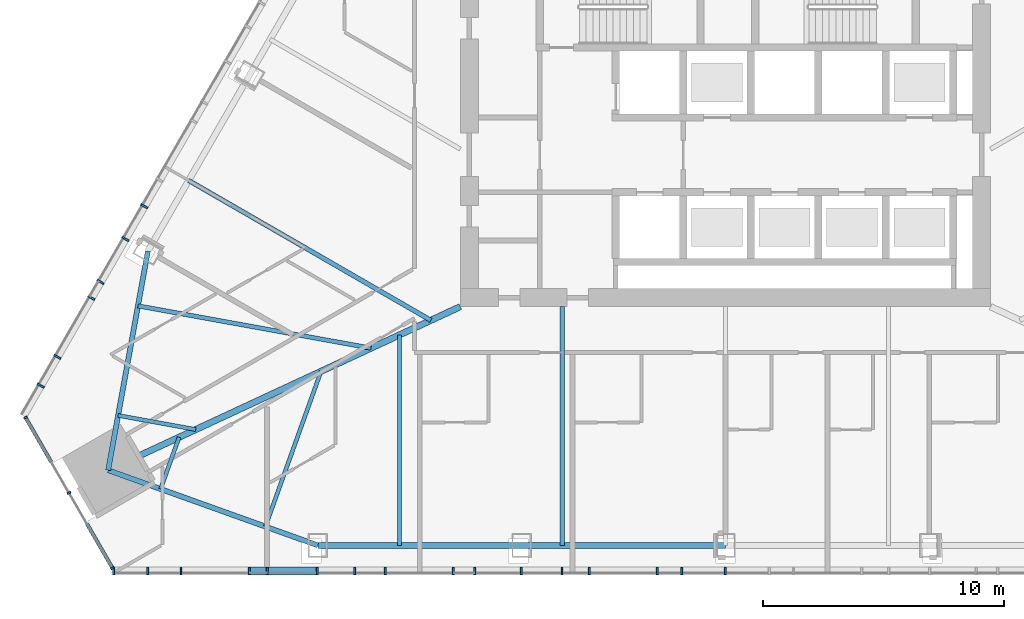
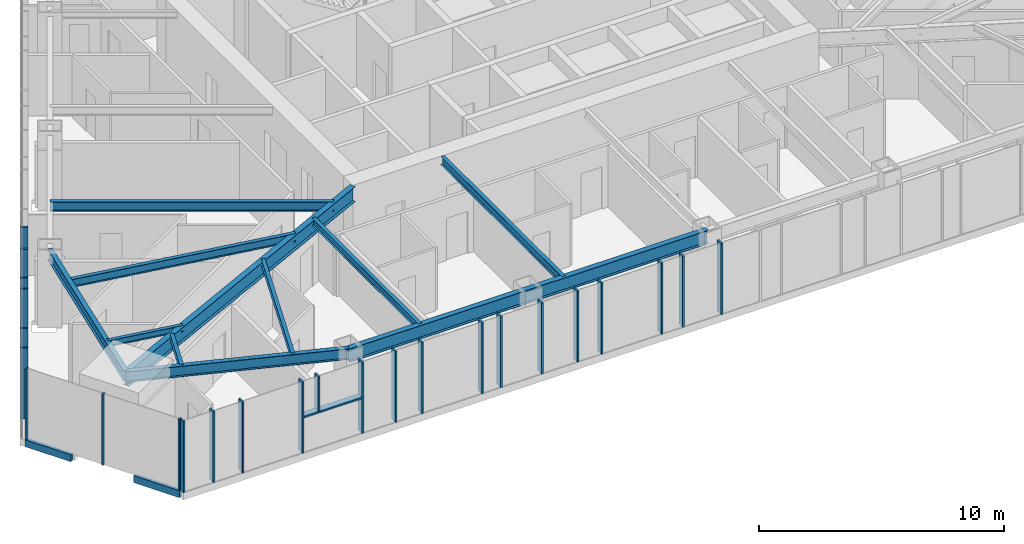
# One storey, part 2 of 19: 28 members, 11 beams, 3 elements without a shape of their own.
"""IFC4 building model written with IfcOpenShell, lengths in metres."""

from ifc_helpers import new_model, si_unit, direction, frame, origin, origin_2d, place, context, subcontext, project, spatial, rectangle, i_section, extrude, material, layer, layer_set, material_profile, profile_set, type_object, element, aggregate, save


model = new_model("IFC4")

# Units and contexts
model_context = context("Model", 3, precision=1e-05, world=origin(), true_north=direction((0.0, 1.0)))
body_context = subcontext(model_context, "Body", "Model", "MODEL_VIEW")
ifc_project = project(units=[si_unit("LENGTHUNIT", "METRE"), si_unit("AREAUNIT", "SQUARE_METRE"), si_unit("VOLUMEUNIT", "CUBIC_METRE"), si_unit("PLANEANGLEUNIT", "RADIAN"), si_unit("MASSUNIT", "GRAM", prefix="KILO")], contexts=[model_context])

# Site, building, storey
site_placement = place(None, origin())
site = spatial("IfcSite", under=ifc_project, at=site_placement, CompositionType="ELEMENT")
building_placement = place(site_placement, origin())
building = spatial("IfcBuilding", under=site, at=building_placement, Name="Firuza Gate Tower and Library", CompositionType="ELEMENT")
storey_placement = place(building_placement, frame((0.0, 0.0, 210.39990234375)))
storey = spatial("IfcBuildingStorey", under=building, at=storey_placement, Name="L49", CompositionType="ELEMENT", Elevation=210.39990234375)

# Curtain wall, members
ifc_material_1 = material(Name="Aluminium 6063-T6", Category="aluminium")
ifc_layer_1 = layer(ifc_material_1, 0.14990234375)
ifc_layer_set_1 = layer_set([ifc_layer_1], Name="Corner curtain wall, chamfers")
curtain_wall_type_1 = type_object("IfcCurtainWallType", Name="Corner curtain wall, chamfers", PredefinedType="NOTDEFINED", material=ifc_layer_set_1)
placement = place(storey_placement, origin())
curtain_wall_1 = element("IfcCurtainWall", 1, at=placement, inside=storey, type_object=curtain_wall_type_1, Name="CW4 L49 SW corner", PredefinedType="NOTDEFINED")
ifc_material_2 = material(Name="Aluminium 6063-T6", Category="aluminium")
ifc_material_profile_1 = material_profile(ifc_material_2, rectangle(XDim=0.14990234375, YDim=0.080078125, at=origin_2d()))
ifc_profile_set_1 = profile_set([ifc_material_profile_1], Name="Aluminium 6063-T6")
member_type_1 = type_object("IfcMemberType", Name="Curtain wall mullion 80x150", PredefinedType="MULLION", material=ifc_profile_set_1)
member_1_placement = place(storey_placement, frame((45.96630859375, 62.398193359375, 0.150146484375), z_axis=(0.0, 0.0, 1.0), x_axis=(0.866025403784, 0.5, 0.0)))
member_1 = element("IfcMember", 2, at=member_1_placement, type_object=member_type_1, Name="Mullion", PredefinedType="MULLION", context=body_context, shape_type="SweptSolid", body=[
    extrude(rectangle(XDim=0.14990234375, YDim=0.080078125, at=origin_2d()), origin(), (0.0, 0.0, 1.0), 3.550048828125),
])
member_2_placement = place(storey_placement, frame((47.76806640625, 59.277587890625, 0.150146484375), z_axis=(0.0, 0.0, 1.0), x_axis=(0.866025403784, 0.5, 0.0)))
member_2 = element("IfcMember", 3, at=member_2_placement, type_object=member_type_1, Name="Mullion", PredefinedType="MULLION", context=body_context, shape_type="SweptSolid", body=[
    extrude(rectangle(XDim=0.14990234375, YDim=0.080078125, at=origin_2d()), origin(), (0.0, 0.0, 1.0), 3.550048828125),
])
member_3_placement = place(storey_placement, frame((49.56982421875, 56.156982421875, 0.150146484375), z_axis=(0.0, 0.0, 1.0), x_axis=(0.866025403784, 0.5, 0.0)))
member_3 = element("IfcMember", 4, at=member_3_placement, type_object=member_type_1, Name="Mullion", PredefinedType="MULLION", context=body_context, shape_type="SweptSolid", body=[
    extrude(rectangle(XDim=0.14990234375, YDim=0.080078125, at=origin_2d()), origin(), (0.0, 0.0, 1.0), 3.550048828125),
])

ifc_material_3 = material(Name="Aluminium 6063-T6", Category="aluminium")
ifc_layer_2 = layer(ifc_material_3, 0.14990234375)
ifc_layer_set_2 = layer_set([ifc_layer_2], Name="Unitised curtain wall, hotel")
curtain_wall_type_2 = type_object("IfcCurtainWallType", Name="Unitised curtain wall, hotel", PredefinedType="NOTDEFINED", material=ifc_layer_set_2)
curtain_wall_2 = element("IfcCurtainWall", 5, at=placement, inside=storey, type_object=curtain_wall_type_2, Name="CW2 L49 S face", PredefinedType="NOTDEFINED")
ifc_material_4 = material(Name="Aluminium 6063-T6", Category="aluminium")
ifc_material_profile_2 = material_profile(ifc_material_4, rectangle(XDim=0.320068359375, YDim=0.080078125, at=origin_2d()))
ifc_profile_set_2 = profile_set([ifc_material_profile_2], Name="Aluminium 6063-T6")
member_type_2 = type_object("IfcMemberType", Name="Curtain wall mullion 80x320", PredefinedType="MULLION", material=ifc_profile_set_2)
member_4_placement = place(storey_placement, frame((49.629638671875, 56.037353515625, 0.150146484375), z_axis=(0.0, 0.0, 1.0), x_axis=(0.0, 1.0, 0.0)))
member_4 = element("IfcMember", 6, at=member_4_placement, type_object=member_type_2, Name="Mullion", PredefinedType="MULLION", context=body_context, shape_type="SweptSolid", body=[
    extrude(rectangle(XDim=0.320068359375, YDim=0.080078125, at=origin_2d()), origin(), (0.0, 0.0, 1.0), 3.550048828125),
])
member_5_placement = place(storey_placement, frame((52.4130859375, 56.037353515625, 0.150146484375), z_axis=(0.0, 0.0, 1.0), x_axis=(0.0, 1.0, 0.0)))
member_5 = element("IfcMember", 7, at=member_5_placement, type_object=member_type_2, Name="Mullion", PredefinedType="MULLION", context=body_context, shape_type="SweptSolid", body=[
    extrude(rectangle(XDim=0.320068359375, YDim=0.080078125, at=origin_2d()), origin(), (0.0, 0.0, 1.0), 3.550048828125),
])
member_6_placement = place(storey_placement, frame((55.236328125, 56.037353515625, 0.150146484375), z_axis=(0.0, 0.0, 1.0), x_axis=(0.0, 1.0, 0.0)))
member_6 = element("IfcMember", 8, at=member_6_placement, type_object=member_type_2, Name="Mullion", PredefinedType="MULLION", context=body_context, shape_type="SweptSolid", body=[
    extrude(rectangle(XDim=0.320068359375, YDim=0.080078125, at=origin_2d()), origin(), (0.0, 0.0, 1.0), 3.550048828125),
])
member_7_placement = place(storey_placement, frame((58.059814453125, 56.037353515625, 0.150146484375), z_axis=(0.0, 0.0, 1.0), x_axis=(0.0, 1.0, 0.0)))
member_7 = element("IfcMember", 9, at=member_7_placement, type_object=member_type_2, Name="Mullion", PredefinedType="MULLION", context=body_context, shape_type="SweptSolid", body=[
    extrude(rectangle(XDim=0.320068359375, YDim=0.080078125, at=origin_2d()), origin(), (0.0, 0.0, 1.0), 3.550048828125),
])
member_8_placement = place(storey_placement, frame((60.883056640625, 56.037353515625, 0.150146484375), z_axis=(0.0, 0.0, 1.0), x_axis=(0.0, 1.0, 0.0)))
member_8 = element("IfcMember", 10, at=member_8_placement, type_object=member_type_2, Name="Mullion", PredefinedType="MULLION", context=body_context, shape_type="SweptSolid", body=[
    extrude(rectangle(XDim=0.320068359375, YDim=0.080078125, at=origin_2d()), origin(), (0.0, 0.0, 1.0), 3.550048828125),
])
member_9_placement = place(storey_placement, frame((63.70654296875, 56.037353515625, 0.150146484375), z_axis=(0.0, 0.0, 1.0), x_axis=(0.0, 1.0, 0.0)))
member_9 = element("IfcMember", 11, at=member_9_placement, type_object=member_type_2, Name="Mullion", PredefinedType="MULLION", context=body_context, shape_type="SweptSolid", body=[
    extrude(rectangle(XDim=0.320068359375, YDim=0.080078125, at=origin_2d()), origin(), (0.0, 0.0, 1.0), 3.550048828125),
])
member_10_placement = place(storey_placement, frame((66.52978515625, 56.037353515625, 0.150146484375), z_axis=(0.0, 0.0, 1.0), x_axis=(0.0, 1.0, 0.0)))
member_10 = element("IfcMember", 12, at=member_10_placement, type_object=member_type_2, Name="Mullion", PredefinedType="MULLION", context=body_context, shape_type="SweptSolid", body=[
    extrude(rectangle(XDim=0.320068359375, YDim=0.080078125, at=origin_2d()), origin(), (0.0, 0.0, 1.0), 3.550048828125),
])
member_11_placement = place(storey_placement, frame((69.353271484375, 56.037353515625, 0.150146484375), z_axis=(0.0, 0.0, 1.0), x_axis=(0.0, 1.0, 0.0)))
member_11 = element("IfcMember", 13, at=member_11_placement, type_object=member_type_2, Name="Mullion", PredefinedType="MULLION", context=body_context, shape_type="SweptSolid", body=[
    extrude(rectangle(XDim=0.320068359375, YDim=0.080078125, at=origin_2d()), origin(), (0.0, 0.0, 1.0), 3.550048828125),
])
member_12_placement = place(storey_placement, frame((72.176513671875, 56.037353515625, 0.150146484375), z_axis=(0.0, 0.0, 1.0), x_axis=(0.0, 1.0, 0.0)))
member_12 = element("IfcMember", 14, at=member_12_placement, type_object=member_type_2, Name="Mullion", PredefinedType="MULLION", context=body_context, shape_type="SweptSolid", body=[
    extrude(rectangle(XDim=0.320068359375, YDim=0.080078125, at=origin_2d()), origin(), (0.0, 0.0, 1.0), 3.550048828125),
])
member_13_placement = place(storey_placement, frame((75.0, 56.037353515625, 0.150146484375), z_axis=(0.0, 0.0, 1.0), x_axis=(0.0, 1.0, 0.0)))
member_13 = element("IfcMember", 15, at=member_13_placement, type_object=member_type_2, Name="Mullion", PredefinedType="MULLION", context=body_context, shape_type="SweptSolid", body=[
    extrude(rectangle(XDim=0.320068359375, YDim=0.080078125, at=origin_2d()), origin(), (0.0, 0.0, 1.0), 3.550048828125),
])
member_14_placement = place(storey_placement, frame((51.03271484375, 56.037353515625, 0.150146484375), z_axis=(0.0, 0.0, 1.0), x_axis=(0.0, 1.0, 0.0)))
member_14 = element("IfcMember", 16, at=member_14_placement, type_object=member_type_2, Name="Mullion", PredefinedType="MULLION", context=body_context, shape_type="SweptSolid", body=[
    extrude(rectangle(XDim=0.320068359375, YDim=0.080078125, at=origin_2d()), origin(), (0.0, 0.0, 1.0), 3.550048828125),
])
member_15_placement = place(storey_placement, frame((55.99853515625, 56.037353515625, 1.965087890625), z_axis=(0.0, 0.0, 1.0), x_axis=(0.0, 1.0, 0.0)))
member_15 = element("IfcMember", 17, at=member_15_placement, type_object=member_type_2, Name="Mullion", PredefinedType="MULLION", context=body_context, shape_type="SweptSolid", body=[
    extrude(rectangle(XDim=0.320068359375, YDim=0.080078125, at=origin_2d()), origin(), (0.0, 0.0, 1.0), 1.735107421875),
])
member_16_placement = place(storey_placement, frame((59.62646484375, 56.037353515625, 0.150146484375), z_axis=(0.0, 0.0, 1.0), x_axis=(0.0, 1.0, 0.0)))
member_16 = element("IfcMember", 18, at=member_16_placement, type_object=member_type_2, Name="Mullion", PredefinedType="MULLION", context=body_context, shape_type="SweptSolid", body=[
    extrude(rectangle(XDim=0.320068359375, YDim=0.080078125, at=origin_2d()), origin(), (0.0, 0.0, 1.0), 3.550048828125),
])
member_17_placement = place(storey_placement, frame((64.59228515625, 56.037353515625, 0.150146484375), z_axis=(0.0, 0.0, 1.0), x_axis=(0.0, 1.0, 0.0)))
member_17 = element("IfcMember", 19, at=member_17_placement, type_object=member_type_2, Name="Mullion", PredefinedType="MULLION", context=body_context, shape_type="SweptSolid", body=[
    extrude(rectangle(XDim=0.320068359375, YDim=0.080078125, at=origin_2d()), origin(), (0.0, 0.0, 1.0), 3.550048828125),
])
member_18_placement = place(storey_placement, frame((68.22021484375, 56.037353515625, 0.150146484375), z_axis=(0.0, 0.0, 1.0), x_axis=(0.0, 1.0, 0.0)))
member_18 = element("IfcMember", 20, at=member_18_placement, type_object=member_type_2, Name="Mullion", PredefinedType="MULLION", context=body_context, shape_type="SweptSolid", body=[
    extrude(rectangle(XDim=0.320068359375, YDim=0.080078125, at=origin_2d()), origin(), (0.0, 0.0, 1.0), 3.550048828125),
])
member_19_placement = place(storey_placement, frame((73.18603515625, 56.037353515625, 0.150146484375), z_axis=(0.0, 0.0, 1.0), x_axis=(0.0, 1.0, 0.0)))
member_19 = element("IfcMember", 21, at=member_19_placement, type_object=member_type_2, Name="Mullion", PredefinedType="MULLION", context=body_context, shape_type="SweptSolid", body=[
    extrude(rectangle(XDim=0.320068359375, YDim=0.080078125, at=origin_2d()), origin(), (0.0, 0.0, 1.0), 3.550048828125),
])

curtain_wall_3 = element("IfcCurtainWall", 22, at=placement, inside=storey, type_object=curtain_wall_type_2, Name="CW2 L49 W face", PredefinedType="NOTDEFINED")
member_20_placement = place(storey_placement, frame((50.10791015625, 69.810546875, 0.150146484375), z_axis=(0.0, 0.0, 1.0), x_axis=(0.866025403784, -0.5, 0.0)))
member_20 = element("IfcMember", 23, at=member_20_placement, type_object=member_type_2, Name="Mullion", PredefinedType="MULLION", context=body_context, shape_type="SweptSolid", body=[
    extrude(rectangle(XDim=0.320068359375, YDim=0.080078125, at=origin_2d()), origin(), (0.0, 0.0, 1.0), 3.550048828125),
])
member_21_placement = place(storey_placement, frame((48.696044921875, 67.365478515625, 0.150146484375), z_axis=(0.0, 0.0, 1.0), x_axis=(0.866025403784, -0.5, 0.0)))
member_21 = element("IfcMember", 24, at=member_21_placement, type_object=member_type_2, Name="Mullion", PredefinedType="MULLION", context=body_context, shape_type="SweptSolid", body=[
    extrude(rectangle(XDim=0.320068359375, YDim=0.080078125, at=origin_2d()), origin(), (0.0, 0.0, 1.0), 3.550048828125),
])
member_22_placement = place(storey_placement, frame((47.284423828125, 64.92041015625, 0.150146484375), z_axis=(0.0, 0.0, 1.0), x_axis=(0.866025403784, -0.5, 0.0)))
member_22 = element("IfcMember", 25, at=member_22_placement, type_object=member_type_2, Name="Mullion", PredefinedType="MULLION", context=body_context, shape_type="SweptSolid", body=[
    extrude(rectangle(XDim=0.320068359375, YDim=0.080078125, at=origin_2d()), origin(), (0.0, 0.0, 1.0), 3.550048828125),
])
member_23_placement = place(storey_placement, frame((50.89111328125, 71.16748046875, 0.150146484375), z_axis=(0.0, 0.0, 1.0), x_axis=(0.866025403784, -0.5, 0.0)))
member_23 = element("IfcMember", 26, at=member_23_placement, type_object=member_type_2, Name="Mullion", PredefinedType="MULLION", context=body_context, shape_type="SweptSolid", body=[
    extrude(rectangle(XDim=0.320068359375, YDim=0.080078125, at=origin_2d()), origin(), (0.0, 0.0, 1.0), 3.550048828125),
])
member_24_placement = place(storey_placement, frame((49.0771484375, 68.025390625, 0.150146484375), z_axis=(0.0, 0.0, 1.0), x_axis=(0.866025403784, -0.5, 0.0)))
member_24 = element("IfcMember", 27, at=member_24_placement, type_object=member_type_2, Name="Mullion", PredefinedType="MULLION", context=body_context, shape_type="SweptSolid", body=[
    extrude(rectangle(XDim=0.320068359375, YDim=0.080078125, at=origin_2d()), origin(), (0.0, 0.0, 1.0), 3.550048828125),
])
member_25_placement = place(storey_placement, frame((46.59423828125, 63.72509765625, 0.150146484375), z_axis=(0.0, 0.0, 1.0), x_axis=(0.866025403784, -0.5, 0.0)))
member_25 = element("IfcMember", 28, at=member_25_placement, type_object=member_type_2, Name="Mullion", PredefinedType="MULLION", context=body_context, shape_type="SweptSolid", body=[
    extrude(rectangle(XDim=0.320068359375, YDim=0.080078125, at=origin_2d()), origin(), (0.0, 0.0, 1.0), 3.550048828125),
])
aggregate(curtain_wall_3, [member_20, member_21, member_22, member_23, member_24, member_25])

# Member
ifc_material_5 = material(Name="Aluminium 6063-T6", Category="aluminium")
ifc_material_profile_3 = material_profile(ifc_material_5, rectangle(XDim=0.14990234375, YDim=0.35009765625, at=origin_2d()))
ifc_profile_set_3 = profile_set([ifc_material_profile_3], Name="Aluminium 6063-T6")
member_type_3 = type_object("IfcMemberType", Name="Curtain wall transom 350x150", PredefinedType="USERDEFINED", material=ifc_profile_set_3)
member_26_placement = place(storey_placement, frame((45.9462890625, 62.432861328125, -0.02490234375), z_axis=(0.500035042182, -0.866005171226, 0.0), x_axis=(0.866005171226, 0.500035042182, 0.0)))
member_26 = element("IfcMember", 29, at=member_26_placement, type_object=member_type_3, Name="Transom", ObjectType="TRANSOM", PredefinedType="USERDEFINED", context=body_context, shape_type="SweptSolid", body=[
    extrude(rectangle(XDim=0.14990234375, YDim=0.35009765625, at=origin_2d()), origin(), (0.0, 0.0, 1.0), 2.163330078125),
])

member_27_placement = place(storey_placement, frame((48.508056640625, 57.995849609375, -0.02490234375), z_axis=(0.499999270699, -0.866025824846, 0.0), x_axis=(0.866025824846, 0.499999270699, 0.0)))
member_27 = element("IfcMember", 30, at=member_27_placement, type_object=member_type_3, Name="Transom", ObjectType="TRANSOM", PredefinedType="USERDEFINED", context=body_context, shape_type="SweptSolid", body=[
    extrude(rectangle(XDim=0.14990234375, YDim=0.35009765625, at=origin_2d()), origin(), (0.0, 0.0, 1.0), 2.1630859375),
])

aggregate(curtain_wall_1, [member_1, member_2, member_3, member_26, member_27])

ifc_material_6 = material(Name="Aluminium 6063-T6", Category="aluminium")
ifc_material_profile_4 = material_profile(ifc_material_6, rectangle(XDim=0.320068359375, YDim=0.080078125, at=origin_2d()))
ifc_profile_set_4 = profile_set([ifc_material_profile_4], Name="Aluminium 6063-T6")
member_type_4 = type_object("IfcMemberType", Name="Curtain wall transom 80x320", PredefinedType="USERDEFINED", material=ifc_profile_set_4)
member_28_placement = place(storey_placement, frame((55.2763671875, 56.037353515625, 1.925048828125), z_axis=(1.0, 0.0, 0.0), x_axis=(0.0, 1.0, 0.0)))
member_28 = element("IfcMember", 31, at=member_28_placement, type_object=member_type_4, Name="Transom", ObjectType="TRANSOM", PredefinedType="USERDEFINED", context=body_context, shape_type="SweptSolid", body=[
    extrude(rectangle(XDim=0.320068359375, YDim=0.080078125, at=origin_2d()), origin(), (0.0, 0.0, 1.0), 2.743408203125),
])

aggregate(curtain_wall_2, [member_4, member_5, member_6, member_7, member_8, member_9, member_10, member_11, member_12, member_13, member_14, member_15, member_28, member_16, member_17, member_18, member_19])

# Beams
ifc_material_7 = material(Name="Steel S355", Category="steel")
ifc_material_profile_5 = material_profile(ifc_material_7, i_section(OverallWidth=0.1650390625, OverallDepth=0.31005859375, WebThickness=0.005859375, FlangeThickness=0.009765625, at=origin_2d()))
ifc_profile_set_5 = profile_set([ifc_material_profile_5], Name="Steel S355")
beam_type_1 = type_object("IfcBeamType", Name="W310x39 Floor beam", PredefinedType="JOIST", material=ifc_profile_set_5)
beam_1_placement = place(storey_placement, frame((49.803955078125, 62.48779296875, 3.545166015625), z_axis=(0.983948530729, -0.178452483528, 0.0), x_axis=(0.178452483528, 0.983948530729, 0.0)))
element("IfcBeam", 32, at=beam_1_placement, inside=storey, type_object=beam_type_1, Name="Floor beam L49 s01", PredefinedType="JOIST", context=body_context, shape_type="SweptSolid", body=[
    extrude(i_section(OverallWidth=0.1650390625, OverallDepth=0.31005859375, WebThickness=0.005859375, FlangeThickness=0.009765625, at=origin_2d()), origin(), (0.0, 0.0, 1.0), 3.275146484375),
])
beam_2_placement = place(storey_placement, frame((51.566162109375, 59.435791015625, 3.545166015625), z_axis=(0.337475616442, 0.941334270229, 0.0), x_axis=(-0.941334270229, 0.337475616442, 0.0)))
element("IfcBeam", 33, at=beam_2_placement, inside=storey, type_object=beam_type_1, Name="Floor beam L49 s10", PredefinedType="JOIST", context=body_context, shape_type="SweptSolid", body=[
    extrude(i_section(OverallWidth=0.1650390625, OverallDepth=0.31005859375, WebThickness=0.005859375, FlangeThickness=0.009765625, at=origin_2d()), origin(), (0.0, 0.0, 1.0), 2.2802734375),
])
beam_3_placement = place(storey_placement, frame((55.91455078125, 57.876953125, 3.545166015625), z_axis=(0.337452942664, 0.941342398645, 0.0), x_axis=(-0.941342398645, 0.337452942664, 0.0)))
element("IfcBeam", 34, at=beam_3_placement, inside=storey, type_object=beam_type_1, Name="Floor beam L49 s11", PredefinedType="JOIST", context=body_context, shape_type="SweptSolid", body=[
    extrude(i_section(OverallWidth=0.1650390625, OverallDepth=0.31005859375, WebThickness=0.005859375, FlangeThickness=0.009765625, at=origin_2d()), origin(), (0.0, 0.0, 1.0), 6.84130859375),
])
ifc_material_8 = material(Name="Steel S355", Category="steel")
ifc_material_profile_6 = material_profile(ifc_material_8, i_section(OverallWidth=0.1708984375, OverallDepth=0.35498046875, WebThickness=0.007080078125, FlangeThickness=0.01171875, at=origin_2d()))
ifc_profile_set_6 = profile_set([ifc_material_profile_6], Name="Steel S355")
beam_type_2 = type_object("IfcBeamType", Name="W360x51 Floor beam", PredefinedType="JOIST", material=ifc_profile_set_6)
beam_4_placement = place(storey_placement, frame((61.470947265625, 57.097412109375, 3.522705078125), z_axis=(0.0, 1.0, 0.0), x_axis=(-1.0, 0.0, 0.0)))
element("IfcBeam", 35, at=beam_4_placement, inside=storey, type_object=beam_type_2, Name="Floor beam L49 s20", PredefinedType="JOIST", context=body_context, shape_type="SweptSolid", body=[
    extrude(i_section(OverallWidth=0.1708984375, OverallDepth=0.35498046875, WebThickness=0.007080078125, FlangeThickness=0.01171875, at=origin_2d()), origin(), (0.0, 0.0, 1.0), 8.72802734375),
])
ifc_material_9 = material(Name="Steel S355", Category="steel")
ifc_material_profile_7 = material_profile(ifc_material_9, i_section(OverallWidth=0.177978515625, OverallDepth=0.406982421875, WebThickness=0.0078125, FlangeThickness=0.0126953125, at=origin_2d()))
ifc_profile_set_7 = profile_set([ifc_material_profile_7], Name="Steel S355")
beam_type_3 = type_object("IfcBeamType", Name="W410x60 Floor beam", PredefinedType="JOIST", material=ifc_profile_set_7)
beam_5_placement = place(storey_placement, frame((50.628173828125, 67.032958984375, 3.49658203125), z_axis=(0.98395368435, -0.178424065234, 0.0), x_axis=(0.178424065234, 0.98395368435, 0.0)))
element("IfcBeam", 36, at=beam_5_placement, inside=storey, type_object=beam_type_3, Name="Floor beam L49 s00", PredefinedType="JOIST", context=body_context, shape_type="SweptSolid", body=[
    extrude(i_section(OverallWidth=0.177978515625, OverallDepth=0.406982421875, WebThickness=0.0078125, FlangeThickness=0.0126953125, at=origin_2d()), origin(), (0.0, 0.0, 1.0), 9.825927734375),
])
beam_6_placement = place(storey_placement, frame((68.2353515625, 57.097412109375, 3.49658203125), z_axis=(0.0, 1.0, 0.0), x_axis=(-1.0, 0.0, 0.0)))
element("IfcBeam", 37, at=beam_6_placement, inside=storey, type_object=beam_type_3, Name="Floor beam L49 s21", PredefinedType="JOIST", context=body_context, shape_type="SweptSolid", body=[
    extrude(i_section(OverallWidth=0.177978515625, OverallDepth=0.406982421875, WebThickness=0.0078125, FlangeThickness=0.0126953125, at=origin_2d()), origin(), (0.0, 0.0, 1.0), 9.902587890625),
])
ifc_material_10 = material(Name="Steel S355", Category="steel")
ifc_material_profile_8 = material_profile(ifc_material_10, i_section(OverallWidth=0.18994140625, OverallDepth=0.45703125, WebThickness=0.009033203125, FlangeThickness=0.014404296875, at=origin_2d()))
ifc_profile_set_8 = profile_set([ifc_material_profile_8], Name="Steel S355")
beam_type_4 = type_object("IfcBeamType", Name="W460x74 Floor beam", PredefinedType="JOIST", material=ifc_profile_set_8)
beam_7_placement = place(storey_placement, frame((52.7314453125, 72.23486328125, 3.4716796875), z_axis=(0.866021598738, -0.500006590476, 0.0), x_axis=(0.500006590476, 0.866021598738, 0.0)))
element("IfcBeam", 38, at=beam_7_placement, inside=storey, type_object=beam_type_4, Name="Floor beam L49 s84", PredefinedType="JOIST", context=body_context, shape_type="SweptSolid", body=[
    extrude(i_section(OverallWidth=0.18994140625, OverallDepth=0.45703125, WebThickness=0.009033203125, FlangeThickness=0.014404296875, at=origin_2d()), origin(), (0.0, 0.0, 1.0), 11.602783203125),
])
ifc_material_11 = material(Name="Steel S355", Category="steel")
ifc_material_profile_9 = material_profile(ifc_material_11, i_section(OverallWidth=0.212890625, OverallDepth=0.5390625, WebThickness=0.01171875, FlangeThickness=0.018798828125, at=origin_2d()))
ifc_profile_set_9 = profile_set([ifc_material_profile_9], Name="Steel S355")
beam_type_5 = type_object("IfcBeamType", Name="W530x109 Edge beam", PredefinedType="SPANDREL", material=ifc_profile_set_9)
for number, where, z_axis, x_axis, name in (
    (39, (51.040283203125, 69.3056640625, 3.4306640625), (-0.178424980687, -0.983953518347, 0.0), (0.983953518347, -0.178424980687, 0.0), "Edge beam L49 e00"),
    (40, (49.391845703125, 60.215087890625, 3.4306640625), (0.941340671255, -0.337457761269, 0.0), (0.337457761269, 0.941340671255, 0.0), "Edge beam L49 e10"),
):
    element("IfcBeam", number, at=place(storey_placement, frame(where, z_axis=z_axis, x_axis=x_axis)), inside=storey, type_object=beam_type_5, Name=name, PredefinedType="SPANDREL", context=body_context, shape_type="SweptSolid", body=[
        extrude(i_section(OverallWidth=0.212890625, OverallDepth=0.5390625, WebThickness=0.01171875, FlangeThickness=0.018798828125, at=origin_2d()), origin(), (0.0, 0.0, 1.0), 9.23876953125),
    ])
ifc_material_12 = material(Name="Steel S355", Category="steel")
ifc_material_profile_10 = material_profile(ifc_material_12, i_section(OverallWidth=0.2529296875, OverallDepth=0.677978515625, WebThickness=0.01171875, FlangeThickness=0.016357421875, at=origin_2d()))
ifc_profile_set_10 = profile_set([ifc_material_profile_10], Name="Steel S355")
beam_type_6 = type_object("IfcBeamType", Name="W690x125 Edge beam", PredefinedType="SPANDREL", material=ifc_profile_set_10)
beam_8_placement = place(storey_placement, frame((58.088623046875, 57.097412109375, 3.361083984375), z_axis=(1.0, 0.0, 0.0), x_axis=(0.0, 1.0, 0.0)))
element("IfcBeam", 41, at=beam_8_placement, inside=storey, type_object=beam_type_6, Name="Edge beam L49 e20", PredefinedType="SPANDREL", context=body_context, shape_type="SweptSolid", body=[
    extrude(i_section(OverallWidth=0.2529296875, OverallDepth=0.677978515625, WebThickness=0.01171875, FlangeThickness=0.016357421875, at=origin_2d()), origin(), (0.0, 0.0, 1.0), 16.911376953125),
])
ifc_material_13 = material(Name="Steel S355", Category="steel")
ifc_material_profile_11 = material_profile(ifc_material_13, i_section(OverallWidth=0.264892578125, OverallDepth=0.7529296875, WebThickness=0.01318359375, FlangeThickness=0.01708984375, at=origin_2d()))
ifc_profile_set_11 = profile_set([ifc_material_profile_11], Name="Steel S355")
beam_type_7 = type_object("IfcBeamType", Name="W760x147 Girder", PredefinedType="BEAM", material=ifc_profile_set_11)
beam_9_placement = place(storey_placement, frame((49.391845703125, 60.215087890625, 3.323486328125), z_axis=(0.90694837612, 0.421241786927, 0.0), x_axis=(-0.421241786927, 0.90694837612, 0.0)))
element("IfcBeam", 42, at=beam_9_placement, inside=storey, type_object=beam_type_7, Name="Girder L49 gSW", PredefinedType="BEAM", context=body_context, shape_type="SweptSolid", body=[
    extrude(i_section(OverallWidth=0.264892578125, OverallDepth=0.7529296875, WebThickness=0.01318359375, FlangeThickness=0.01708984375, at=origin_2d()), origin(), (0.0, 0.0, 1.0), 16.10693359375),
])

save(model, "model.ifc")
